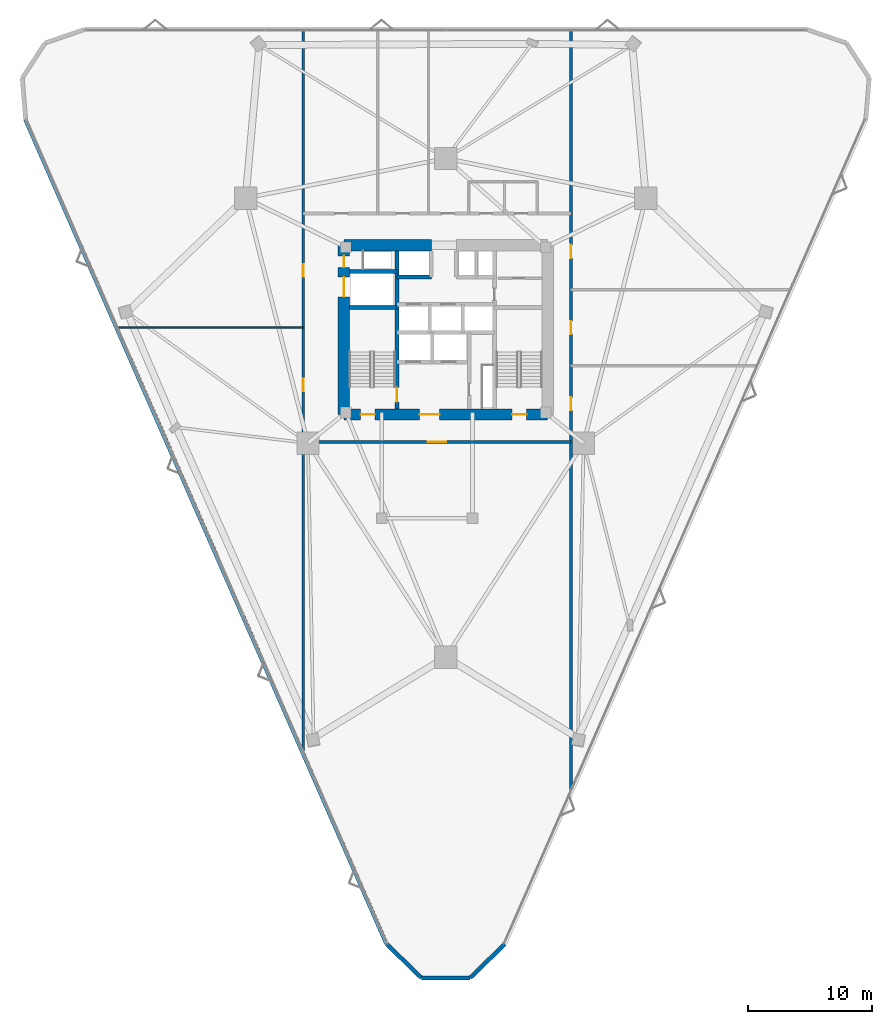
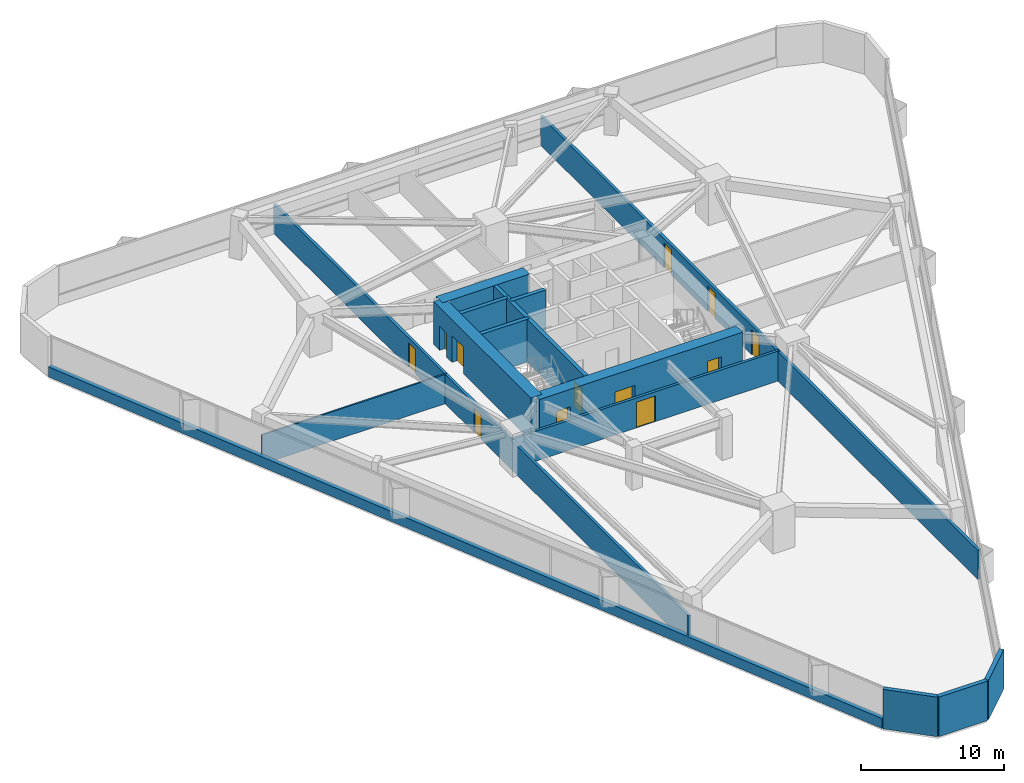
# One storey, part 17 of 20: 15 walls, 12 doors, 12 openings.
"""IFC4 building model written with IfcOpenShell, lengths in metres."""

from ifc_helpers import new_model, si_unit, direction, frame, frame_2d, origin, place, context, subcontext, project, spatial, rectangle, extrude, material, layer, layer_set, type_object, element, fill, save


model = new_model("IFC4")

# Units and contexts
model_context = context("Model", 3, precision=1e-05, world=origin(), true_north=direction((0.0, 1.0)))
body_context = subcontext(model_context, "Body", "Model", "MODEL_VIEW")
ifc_project = project(units=[si_unit("LENGTHUNIT", "METRE"), si_unit("AREAUNIT", "SQUARE_METRE"), si_unit("VOLUMEUNIT", "CUBIC_METRE"), si_unit("PLANEANGLEUNIT", "RADIAN"), si_unit("MASSUNIT", "GRAM", prefix="KILO")], contexts=[model_context])

# Site, building, storey
site_placement = place(None, origin())
site = spatial("IfcSite", under=ifc_project, at=site_placement, CompositionType="ELEMENT")
building_placement = place(site_placement, origin())
building = spatial("IfcBuilding", under=site, at=building_placement, Name="Talyreon Biosciences Tower", CompositionType="ELEMENT")
storey_placement = place(building_placement, frame((0.0, 0.0, 37.39990234375)))
storey = spatial("IfcBuildingStorey", under=building, at=storey_placement, Name="L09", CompositionType="ELEMENT", Elevation=37.39990234375)

# Wall, opening, door
ifc_material_1 = material(Name="Concrete C50/60", Category="concrete")
ifc_layer_1 = layer(ifc_material_1, 0.320068359375)
ifc_layer_set_1 = layer_set([ifc_layer_1], Name="Concrete C50/60")
wall_type_1 = type_object("IfcWallType", Name="CoreShearWall_320", PredefinedType="SHEAR", material=ifc_layer_set_1)
wall_1_placement = place(storey_placement, frame((62.090087890625, 61.64990234375, 0.0), z_axis=(0.0, 0.0, 1.0), x_axis=(0.0, 1.0, 0.0)))
wall_1 = element("IfcWall", 1, at=wall_1_placement, inside=storey, type_object=wall_type_1, Name="L09 Core Shaft Wall SW1E", PredefinedType="SHEAR", context=body_context, shape_type="SweptSolid", body=[
    extrude(rectangle(XDim=12.7001953125, YDim=0.320068359375, at=frame_2d((6.35009765625, 0.0))), origin(), (0.0, 0.0, 1.0), 3.650146484375),
])
opening_1_placement = place(wall_1_placement, frame((0.550048828125, 0.0, 0.0)))
opening_1 = element("IfcOpeningElement", 2, at=opening_1_placement, cuts=wall_1, Name="Opening DR-L09-FF-ST1", PredefinedType="OPENING", context=body_context, shape_type="SweptSolid", body=[
    extrude(rectangle(XDim=1.14990234375, YDim=2.14990234375, at=frame_2d((0.574951171875, 1.074951171875))), frame((0.0, 0.169921875, 0.0), z_axis=(0.0, -1.0, 0.0), x_axis=(1.0, 0.0, 0.0)), (0.0, 0.0, 1.0), 0.340087890625),
])
ifc_material_2 = material(Name="Painted steel fire door", Category="steel")
door_type_1 = type_object("IfcDoorType", Name="StairShaftFireDoor_1150x2150", OperationType="NOTDEFINED", PredefinedType="DOOR", material=ifc_material_2)
door_1_placement = place(opening_1_placement, origin())
door_1 = element("IfcDoor", 3, at=door_1_placement, inside=storey, type_object=door_type_1, Name="L09 Core Door DR-L09-FF-ST1", OperationType="SINGLE_SWING_LEFT", OverallHeight=2.14990234375, OverallWidth=1.14990234375, PredefinedType="DOOR", context=body_context, shape_type="SweptSolid", body=[
    extrude(rectangle(XDim=1.14990234375, YDim=2.14990234375, at=frame_2d((0.574951171875, 1.074951171875))), frame((0.0, 0.02490234375, 0.0), z_axis=(0.0, -1.0, 0.0), x_axis=(1.0, 0.0, 0.0)), (0.0, 0.0, 1.0), 0.050048828125),
])
fill(opening_1, door_1)

# Walls
for number, where, z_axis, x_axis, name in (
    (4, (58.25, 69.81005859375, 0.0), (0.0, 0.0, 1.0), (1.0, 0.0, 0.0), "L09 Core Shaft Wall SW1N"),
    (5, (58.25, 72.699951171875, 0.0), (0.0, 0.0, 1.0), (1.0, 0.0, 0.0), "L09 Core Shaft Wall SWGLN"),
):
    element("IfcWall", number, at=place(storey_placement, frame(where, z_axis=z_axis, x_axis=x_axis)), inside=storey, type_object=wall_type_1, Name=name, PredefinedType="SHEAR", context=body_context, shape_type="SweptSolid", body=[
        extrude(rectangle(XDim=3.840087890625, YDim=0.320068359375, at=frame_2d((1.919921875, 0.0))), origin(), (0.0, 0.0, 1.0), 3.650146484375),
    ])
wall_2_placement = place(storey_placement, frame((62.090087890625, 72.25, 0.0), z_axis=(0.0, 0.0, 1.0), x_axis=(1.0, 0.0, 0.0)))
element("IfcWall", 6, at=wall_2_placement, inside=storey, type_object=wall_type_1, Name="L09 Core Shaft Wall SWNPW", PredefinedType="SHEAR", context=body_context, shape_type="SweptSolid", body=[
    extrude(rectangle(XDim=2.760009765625, YDim=0.320068359375, at=frame_2d((1.3798828125, 0.0))), origin(), (0.0, 0.0, 1.0), 3.650146484375),
])

# Wall, openings, doors
ifc_material_3 = material(Name="Concrete C60/75", Category="concrete")
ifc_layer_2 = layer(ifc_material_3, 0.89990234375)
ifc_layer_set_2 = layer_set([ifc_layer_2], Name="Concrete C60/75")
wall_type_2 = type_object("IfcWallType", Name="CoreShearWall_900", PredefinedType="SHEAR", material=ifc_layer_set_2)
wall_3_placement = place(storey_placement, frame((57.800048828125, 61.199951171875, 0.0), z_axis=(0.0, 0.0, 1.0), x_axis=(1.0, 0.0, 0.0)))
wall_3 = element("IfcWall", 7, at=wall_3_placement, inside=storey, type_object=wall_type_2, Name="L09 Core Shear Wall S", PredefinedType="SHEAR", context=body_context, shape_type="SweptSolid", body=[
    extrude(rectangle(XDim=16.39990234375, YDim=0.89990234375, at=frame_2d((8.199951171875, 0.0))), origin(), (0.0, 0.0, 1.0), 3.650146484375),
])
opening_2_placement = place(wall_3_placement, frame((1.35009765625, 0.0, 0.0)))
opening_2 = element("IfcOpeningElement", 8, at=opening_2_placement, cuts=wall_3, Name="Opening DR-L09-ST1", PredefinedType="OPENING", context=body_context, shape_type="SweptSolid", body=[
    extrude(rectangle(XDim=1.14990234375, YDim=2.14990234375, at=frame_2d((0.574951171875, 1.074951171875))), frame((0.0, 0.4599609375, 0.0), z_axis=(0.0, -1.0, 0.0), x_axis=(1.0, 0.0, 0.0)), (0.0, 0.0, 1.0), 0.919921875),
])
opening_3_placement = place(wall_3_placement, frame((6.10009765625, 0.0, 0.0)))
opening_3 = element("IfcOpeningElement", 9, at=opening_3_placement, cuts=wall_3, Name="Opening DR-L09-FFL", PredefinedType="OPENING", context=body_context, shape_type="SweptSolid", body=[
    extrude(rectangle(XDim=1.60009765625, YDim=2.14990234375, at=frame_2d((0.800048828125, 1.074951171875))), frame((0.0, 0.4599609375, 0.0), z_axis=(0.0, -1.0, 0.0), x_axis=(1.0, 0.0, 0.0)), (0.0, 0.0, 1.0), 0.919921875),
])
opening_4_placement = place(wall_3_placement, frame((13.550048828125, 0.0, 0.0)))
opening_4 = element("IfcOpeningElement", 10, at=opening_4_placement, cuts=wall_3, Name="Opening DR-L09-ST2", PredefinedType="OPENING", context=body_context, shape_type="SweptSolid", body=[
    extrude(rectangle(XDim=1.14990234375, YDim=2.14990234375, at=frame_2d((0.574951171875, 1.074951171875))), frame((0.0, 0.4599609375, 0.0), z_axis=(0.0, -1.0, 0.0), x_axis=(1.0, 0.0, 0.0)), (0.0, 0.0, 1.0), 0.919921875),
])
ifc_material_4 = material(Name="Painted steel smoke-seal fire door", Category="steel")
door_type_2 = type_object("IfcDoorType", Name="FirefightingLobbyDoubleDoor_1600x2150", OperationType="DOUBLE_DOOR_SINGLE_SWING", PredefinedType="DOOR", material=ifc_material_4)
door_2_placement = place(opening_3_placement, origin())
door_2 = element("IfcDoor", 11, at=door_2_placement, inside=storey, type_object=door_type_2, Name="L09 Core Door DR-L09-FFL", OperationType="DOUBLE_DOOR_SINGLE_SWING", OverallHeight=2.14990234375, OverallWidth=1.60009765625, PredefinedType="DOOR", context=body_context, shape_type="SweptSolid", body=[
    extrude(rectangle(XDim=1.60009765625, YDim=2.14990234375, at=frame_2d((0.800048828125, 1.074951171875))), frame((0.0, 0.02490234375, 0.0), z_axis=(0.0, -1.0, 0.0), x_axis=(1.0, 0.0, 0.0)), (0.0, 0.0, 1.0), 0.050048828125),
])
fill(opening_3, door_2)
door_3_placement = place(opening_2_placement, origin())
door_3 = element("IfcDoor", 12, at=door_3_placement, inside=storey, type_object=door_type_1, Name="L09 Core Door DR-L09-ST1", OperationType="SINGLE_SWING_LEFT", OverallHeight=2.14990234375, OverallWidth=1.14990234375, PredefinedType="DOOR", context=body_context, shape_type="SweptSolid", body=[
    extrude(rectangle(XDim=1.14990234375, YDim=2.14990234375, at=frame_2d((0.574951171875, 1.074951171875))), frame((0.0, 0.02490234375, 0.0), z_axis=(0.0, -1.0, 0.0), x_axis=(1.0, 0.0, 0.0)), (0.0, 0.0, 1.0), 0.050048828125),
])
fill(opening_2, door_3)
door_4_placement = place(opening_4_placement, origin())
door_4 = element("IfcDoor", 13, at=door_4_placement, inside=storey, type_object=door_type_1, Name="L09 Core Door DR-L09-ST2", OperationType="SINGLE_SWING_RIGHT", OverallHeight=2.14990234375, OverallWidth=1.14990234375, PredefinedType="DOOR", context=body_context, shape_type="SweptSolid", body=[
    extrude(rectangle(XDim=1.14990234375, YDim=2.14990234375, at=frame_2d((0.574951171875, 1.074951171875))), frame((0.0, 0.02490234375, 0.0), z_axis=(0.0, -1.0, 0.0), x_axis=(1.0, 0.0, 0.0)), (0.0, 0.0, 1.0), 0.050048828125),
])
fill(opening_4, door_4)

# Wall
wall_4_placement = place(storey_placement, frame((64.85009765625, 74.800048828125, 0.0), z_axis=(0.0, 0.0, 1.0), x_axis=(-1.0, 0.0, 0.0)))
element("IfcWall", 14, at=wall_4_placement, inside=storey, type_object=wall_type_2, Name="L09 Core Shear Wall NW", PredefinedType="SHEAR", context=body_context, shape_type="SweptSolid", body=[
    extrude(rectangle(XDim=7.050048828125, YDim=0.89990234375, at=frame_2d((3.52490234375, 0.0))), origin(), (0.0, 0.0, 1.0), 3.650146484375),
])

# Wall, openings, doors
wall_5_placement = place(storey_placement, frame((57.800048828125, 74.800048828125, 0.0), z_axis=(0.0, 0.0, 1.0), x_axis=(0.0, -1.0, 0.0)))
wall_5 = element("IfcWall", 15, at=wall_5_placement, inside=storey, type_object=wall_type_2, Name="L09 Core Shear Wall W", PredefinedType="SHEAR", context=body_context, shape_type="SweptSolid", body=[
    extrude(rectangle(XDim=13.60009765625, YDim=0.89990234375, at=frame_2d((6.800048828125, 0.0))), origin(), (0.0, 0.0, 1.0), 3.650146484375),
])
opening_5_placement = place(wall_5_placement, frame((0.85009765625, 0.0, 0.0)))
opening_5 = element("IfcOpeningElement", 16, at=opening_5_placement, cuts=wall_5, Name="Opening DR-L09-RSW", PredefinedType="OPENING", context=body_context, shape_type="SweptSolid", body=[
    extrude(rectangle(XDim=0.919921875, YDim=2.050048828125, at=frame_2d((0.4599609375, 1.02490234375))), frame((0.0, 0.4599609375, 0.0), z_axis=(0.0, -1.0, 0.0), x_axis=(1.0, 0.0, 0.0)), (0.0, 0.0, 1.0), 0.919921875),
])
opening_6_placement = place(wall_5_placement, frame((2.550048828125, 0.0, 0.0)))
opening_6 = element("IfcOpeningElement", 17, at=opening_6_placement, cuts=wall_5, Name="Opening LD-L09-GL1", PredefinedType="OPENING", context=body_context, shape_type="SweptSolid", body=[
    extrude(rectangle(XDim=1.60009765625, YDim=2.300048828125, at=frame_2d((0.800048828125, 1.14990234375))), frame((0.0, 0.4599609375, 0.0), z_axis=(0.0, -1.0, 0.0), x_axis=(1.0, 0.0, 0.0)), (0.0, 0.0, 1.0), 0.919921875),
])
ifc_material_5 = material(Name="Heavy-duty stainless-steel goods lift door", Category="steel")
door_type_3 = type_object("IfcDoorType", Name="GoodsLiftSlidingDoor_1600x2300", OperationType="DOUBLE_DOOR_SLIDING", PredefinedType="DOOR", material=ifc_material_5)
door_5_placement = place(opening_6_placement, origin())
door_5 = element("IfcDoor", 18, at=door_5_placement, inside=storey, type_object=door_type_3, Name="L09 Core Door LD-L09-GL1", OperationType="DOUBLE_DOOR_SLIDING", OverallHeight=2.300048828125, OverallWidth=1.60009765625, PredefinedType="DOOR", context=body_context, shape_type="SweptSolid", body=[
    extrude(rectangle(XDim=1.60009765625, YDim=2.300048828125, at=frame_2d((0.800048828125, 1.14990234375))), frame((0.0, 0.02490234375, 0.0), z_axis=(0.0, -1.0, 0.0), x_axis=(1.0, 0.0, 0.0)), (0.0, 0.0, 1.0), 0.050048828125),
])
fill(opening_6, door_5)
ifc_material_6 = material(Name="Painted steel fire-rated riser door", Category="steel")
door_type_4 = type_object("IfcDoorType", Name="RiserPlantAccessDoor_920x2050", OperationType="NOTDEFINED", PredefinedType="DOOR", material=ifc_material_6)
door_6_placement = place(opening_5_placement, origin())
door_6 = element("IfcDoor", 19, at=door_6_placement, inside=storey, type_object=door_type_4, Name="L09 Core Door DR-L09-RSW", OperationType="SINGLE_SWING_LEFT", OverallHeight=2.050048828125, OverallWidth=0.919921875, PredefinedType="DOOR", context=body_context, shape_type="SweptSolid", body=[
    extrude(rectangle(XDim=0.919921875, YDim=2.050048828125, at=frame_2d((0.4599609375, 1.02490234375))), frame((0.0, 0.02490234375, 0.0), z_axis=(0.0, -1.0, 0.0), x_axis=(1.0, 0.0, 0.0)), (0.0, 0.0, 1.0), 0.050048828125),
])
fill(opening_5, door_6)

# Wall, opening, door
ifc_material_7 = material(Name="Gypsum fireboard acoustic stud", Category="gypsum")
ifc_layer_3 = layer(ifc_material_7, 0.219970703125)
ifc_layer_set_3 = layer_set([ifc_layer_3], Name="Gypsum fireboard acoustic stud")
wall_type_3 = type_object("IfcWallType", Name="CorridorRatedPartition_220", PredefinedType="PARTITIONING", material=ifc_layer_set_3)
wall_6_placement = place(storey_placement, frame((54.530029296875, 58.97998046875, 0.0), z_axis=(0.0, 0.0, 1.0), x_axis=(1.0, 0.0, 0.0)))
wall_6 = element("IfcWall", 20, at=wall_6_placement, inside=storey, type_object=wall_type_3, Name="L09 Interior Wall IW-L09-COR-S", PredefinedType="PARTITIONING", context=body_context, shape_type="SweptSolid", body=[
    extrude(rectangle(XDim=21.5400390625, YDim=0.219970703125, at=frame_2d((10.77001953125, 0.0))), origin(), (0.0, 0.0, 1.0), 2.55517578125),
])
opening_7_placement = place(wall_6_placement, frame((10.02001953125, 0.0, 0.0)))
opening_7 = element("IfcOpeningElement", 21, at=opening_7_placement, cuts=wall_6, Name="Opening DR-L09-S1A", PredefinedType="OPENING", context=body_context, shape_type="SweptSolid", body=[
    extrude(rectangle(XDim=1.5, YDim=2.199951171875, at=frame_2d((0.75, 1.10009765625))), frame((0.0, 0.119873046875, 0.0), z_axis=(0.0, -1.0, 0.0), x_axis=(1.0, 0.0, 0.0)), (0.0, 0.0, 1.0), 0.239990234375),
])
ifc_material_8 = material(Name="Vision-panel steel laboratory fire door", Category="steel")
door_type_5 = type_object("IfcDoorType", Name="WetLabDoubleLeafDoor_1500x2200", OperationType="DOUBLE_DOOR_SINGLE_SWING", PredefinedType="DOOR", material=ifc_material_8)
door_7_placement = place(opening_7_placement, origin())
door_7 = element("IfcDoor", 22, at=door_7_placement, inside=storey, type_object=door_type_5, Name="L09 Interior Door DR-L09-S1A", OperationType="DOUBLE_DOOR_SINGLE_SWING", OverallHeight=2.199951171875, OverallWidth=1.5, PredefinedType="DOOR", context=body_context, shape_type="SweptSolid", body=[
    extrude(rectangle(XDim=1.5, YDim=2.199951171875, at=frame_2d((0.75, 1.10009765625))), frame((0.0, 0.02490234375, 0.0), z_axis=(0.0, -1.0, 0.0), x_axis=(1.0, 0.0, 0.0)), (0.0, 0.0, 1.0), 0.050048828125),
])
fill(opening_7, door_7)

# Wall, openings, doors
wall_7_placement = place(storey_placement, frame((54.530029296875, 34.11328125, 0.0), z_axis=(0.0, 0.0, 1.0), x_axis=(0.0, 1.0, 0.0)))
wall_7 = element("IfcWall", 23, at=wall_7_placement, inside=storey, type_object=wall_type_3, Name="L09 Interior Wall IW-L09-COR-W", PredefinedType="PARTITIONING", context=body_context, shape_type="SweptSolid", body=[
    extrude(rectangle(XDim=57.9892578125, YDim=0.219970703125, at=frame_2d((28.99462890625, 0.0))), origin(), (0.0, 0.0, 1.0), 2.505126953125),
])
opening_8_placement = place(wall_7_placement, frame((28.964111328125, 0.0, 0.0)))
opening_8 = element("IfcOpeningElement", 24, at=opening_8_placement, cuts=wall_7, Name="Opening DR-L09-W1A", PredefinedType="OPENING", context=body_context, shape_type="SweptSolid", body=[
    extrude(rectangle(XDim=1.0, YDim=2.10009765625, at=frame_2d((0.5, 1.050048828125))), frame((0.0, 0.119873046875, 0.0), z_axis=(0.0, -1.0, 0.0), x_axis=(1.0, 0.0, 0.0)), (0.0, 0.0, 1.0), 0.239990234375),
])
opening_9_placement = place(wall_7_placement, frame((38.158935546875, 0.0, 0.0)))
opening_9 = element("IfcOpeningElement", 25, at=opening_9_placement, cuts=wall_7, Name="Opening DR-L09-W2A", PredefinedType="OPENING", context=body_context, shape_type="SweptSolid", body=[
    extrude(rectangle(XDim=1.0, YDim=2.10009765625, at=frame_2d((0.5, 1.050048828125))), frame((0.0, 0.119873046875, 0.0), z_axis=(0.0, -1.0, 0.0), x_axis=(1.0, 0.0, 0.0)), (0.0, 0.0, 1.0), 0.239990234375),
])
ifc_material_9 = material(Name="Acoustic oak veneer office door", Category="wood")
door_type_6 = type_object("IfcDoorType", Name="WriteupOfficeDoor_1000x2100", OperationType="NOTDEFINED", PredefinedType="DOOR", material=ifc_material_9)
door_8_placement = place(opening_8_placement, origin())
door_8 = element("IfcDoor", 26, at=door_8_placement, inside=storey, type_object=door_type_6, Name="L09 Interior Door DR-L09-W1A", OperationType="SINGLE_SWING_RIGHT", OverallHeight=2.10009765625, OverallWidth=1.0, PredefinedType="DOOR", context=body_context, shape_type="SweptSolid", body=[
    extrude(rectangle(XDim=1.0, YDim=2.10009765625, at=frame_2d((0.5, 1.050048828125))), frame((0.0, 0.02490234375, 0.0), z_axis=(0.0, -1.0, 0.0), x_axis=(1.0, 0.0, 0.0)), (0.0, 0.0, 1.0), 0.050048828125),
])
fill(opening_8, door_8)
door_9_placement = place(opening_9_placement, origin())
door_9 = element("IfcDoor", 27, at=door_9_placement, inside=storey, type_object=door_type_6, Name="L09 Interior Door DR-L09-W2A", OperationType="SINGLE_SWING_LEFT", OverallHeight=2.10009765625, OverallWidth=1.0, PredefinedType="DOOR", context=body_context, shape_type="SweptSolid", body=[
    extrude(rectangle(XDim=1.0, YDim=2.10009765625, at=frame_2d((0.5, 1.050048828125))), frame((0.0, 0.02490234375, 0.0), z_axis=(0.0, -1.0, 0.0), x_axis=(1.0, 0.0, 0.0)), (0.0, 0.0, 1.0), 0.050048828125),
])
fill(opening_9, door_9)

wall_8_placement = place(storey_placement, frame((76.070068359375, 30.9169921875, 0.0), z_axis=(0.0, 0.0, 1.0), x_axis=(0.0, 1.0, 0.0)))
wall_8 = element("IfcWall", 28, at=wall_8_placement, inside=storey, type_object=wall_type_3, Name="L09 Interior Wall IW-L09-COR-E", PredefinedType="PARTITIONING", context=body_context, shape_type="SweptSolid", body=[
    extrude(rectangle(XDim=61.185546875, YDim=0.219970703125, at=frame_2d((30.5927734375, 0.0))), origin(), (0.0, 0.0, 1.0), 2.505126953125),
])
opening_10_placement = place(wall_8_placement, frame((30.60302734375, 0.0, 0.0)))
opening_10 = element("IfcOpeningElement", 29, at=opening_10_placement, cuts=wall_8, Name="Opening DR-L09-E1A", PredefinedType="OPENING", context=body_context, shape_type="SweptSolid", body=[
    extrude(rectangle(XDim=1.050048828125, YDim=2.14990234375, at=frame_2d((0.52490234375, 1.074951171875))), frame((0.0, 0.119873046875, 0.0), z_axis=(0.0, -1.0, 0.0), x_axis=(1.0, 0.0, 0.0)), (0.0, 0.0, 1.0), 0.239990234375),
])
opening_11_placement = place(wall_8_placement, frame((36.73291015625, 0.0, 0.0)))
opening_11 = element("IfcOpeningElement", 30, at=opening_11_placement, cuts=wall_8, Name="Opening DR-L09-E2A", PredefinedType="OPENING", context=body_context, shape_type="SweptSolid", body=[
    extrude(rectangle(XDim=1.050048828125, YDim=2.14990234375, at=frame_2d((0.52490234375, 1.074951171875))), frame((0.0, 0.119873046875, 0.0), z_axis=(0.0, -1.0, 0.0), x_axis=(1.0, 0.0, 0.0)), (0.0, 0.0, 1.0), 0.239990234375),
])
opening_12_placement = place(wall_8_placement, frame((42.863037109375, 0.0, 0.0)))
opening_12 = element("IfcOpeningElement", 31, at=opening_12_placement, cuts=wall_8, Name="Opening DR-L09-E3A", PredefinedType="OPENING", context=body_context, shape_type="SweptSolid", body=[
    extrude(rectangle(XDim=1.050048828125, YDim=2.14990234375, at=frame_2d((0.52490234375, 1.074951171875))), frame((0.0, 0.119873046875, 0.0), z_axis=(0.0, -1.0, 0.0), x_axis=(1.0, 0.0, 0.0)), (0.0, 0.0, 1.0), 0.239990234375),
])
ifc_material_10 = material(Name="Acoustic timber-core laboratory door", Category="wood")
door_type_7 = type_object("IfcDoorType", Name="DryLabSingleDoor_1050x2150", OperationType="NOTDEFINED", PredefinedType="DOOR", material=ifc_material_10)
door_10_placement = place(opening_10_placement, origin())
door_10 = element("IfcDoor", 32, at=door_10_placement, inside=storey, type_object=door_type_7, Name="L09 Interior Door DR-L09-E1A", OperationType="SINGLE_SWING_RIGHT", OverallHeight=2.14990234375, OverallWidth=1.050048828125, PredefinedType="DOOR", context=body_context, shape_type="SweptSolid", body=[
    extrude(rectangle(XDim=1.050048828125, YDim=2.14990234375, at=frame_2d((0.52490234375, 1.074951171875))), frame((0.0, 0.02490234375, 0.0), z_axis=(0.0, -1.0, 0.0), x_axis=(1.0, 0.0, 0.0)), (0.0, 0.0, 1.0), 0.050048828125),
])
fill(opening_10, door_10)
door_11_placement = place(opening_11_placement, origin())
door_11 = element("IfcDoor", 33, at=door_11_placement, inside=storey, type_object=door_type_7, Name="L09 Interior Door DR-L09-E2A", OperationType="SINGLE_SWING_LEFT", OverallHeight=2.14990234375, OverallWidth=1.050048828125, PredefinedType="DOOR", context=body_context, shape_type="SweptSolid", body=[
    extrude(rectangle(XDim=1.050048828125, YDim=2.14990234375, at=frame_2d((0.52490234375, 1.074951171875))), frame((0.0, 0.02490234375, 0.0), z_axis=(0.0, -1.0, 0.0), x_axis=(1.0, 0.0, 0.0)), (0.0, 0.0, 1.0), 0.050048828125),
])
fill(opening_11, door_11)
door_12_placement = place(opening_12_placement, origin())
door_12 = element("IfcDoor", 34, at=door_12_placement, inside=storey, type_object=door_type_7, Name="L09 Interior Door DR-L09-E3A", OperationType="SINGLE_SWING_RIGHT", OverallHeight=2.14990234375, OverallWidth=1.050048828125, PredefinedType="DOOR", context=body_context, shape_type="SweptSolid", body=[
    extrude(rectangle(XDim=1.050048828125, YDim=2.14990234375, at=frame_2d((0.52490234375, 1.074951171875))), frame((0.0, 0.02490234375, 0.0), z_axis=(0.0, -1.0, 0.0), x_axis=(1.0, 0.0, 0.0)), (0.0, 0.0, 1.0), 0.050048828125),
])
fill(opening_12, door_12)

# Walls
ifc_material_11 = material(Name="Gypsum acoustic stud partition", Category="gypsum")
ifc_layer_4 = layer(ifc_material_11, 0.1298828125)
ifc_layer_set_4 = layer_set([ifc_layer_4], Name="Gypsum acoustic stud partition")
wall_type_4 = type_object("IfcWallType", Name="OfficeWriteupPartition_130", PredefinedType="PARTITIONING", material=ifc_layer_set_4)
wall_9_placement = place(storey_placement, frame((39.610107421875, 68.175048828125, 0.0), z_axis=(0.0, 0.0, 1.0), x_axis=(1.0, 0.0, 0.0)))
element("IfcWall", 35, at=wall_9_placement, inside=storey, type_object=wall_type_4, Name="L09 Interior Wall IW-L09-WDIV1", PredefinedType="PARTITIONING", context=body_context, shape_type="SweptSolid", body=[
    extrude(rectangle(XDim=14.919921875, YDim=0.1298828125, at=frame_2d((7.4599609375, 0.0))), origin(), (0.0, 0.0, 1.0), 2.505126953125),
])
ifc_material_12 = material(Name="Precast concrete C45/55", Category="concrete")
ifc_layer_5 = layer(ifc_material_12, 0.340087890625)
ifc_layer_set_5 = layer_set([ifc_layer_5], Name="Precast concrete C45/55")
wall_type_5 = type_object("IfcWallType", Name="PrecastConcreteSpandrelWall_340", PredefinedType="STANDARD", material=ifc_layer_set_5)
wall_10_placement = place(storey_placement, frame((61.23681640625, 18.589599609375, 0.0), z_axis=(0.0, 0.0, 1.0), x_axis=(-0.40122003264, 0.915981705826, 0.0)))
element("IfcWall", 36, at=wall_10_placement, inside=storey, type_object=wall_type_5, Name="L09 Expressed Concrete Sill Wall 00", PredefinedType="STANDARD", context=body_context, shape_type="SweptSolid", body=[
    extrude(rectangle(XDim=72.39404296875, YDim=0.340087890625, at=frame_2d((36.197021484375, 0.0))), origin(), (0.0, 0.0, 1.0), 0.85009765625),
])
wall_11_placement = place(storey_placement, frame((70.76318359375, 18.589599609375, 0.0), z_axis=(0.0, 0.0, 1.0), x_axis=(-0.716582721765, -0.697502116748, 0.0)))
element("IfcWall", 37, at=wall_11_placement, inside=storey, type_object=wall_type_5, Name="L09 Rounded-Corner Concrete Pier 09", PredefinedType="STANDARD", context=body_context, shape_type="SweptSolid", body=[
    extrude(rectangle(XDim=3.915283203125, YDim=0.340087890625, at=frame_2d((1.95751953125, 0.0))), origin(), (0.0, 0.0, 1.0), 3.375),
])
wall_12_placement = place(storey_placement, frame((67.95751953125, 15.858642578125, 0.0), z_axis=(0.0, 0.0, 1.0), x_axis=(-1.0, 0.0, 0.0)))
element("IfcWall", 38, at=wall_12_placement, inside=storey, type_object=wall_type_5, Name="L09 Rounded-Corner Concrete Pier 10", PredefinedType="STANDARD", context=body_context, shape_type="SweptSolid", body=[
    extrude(rectangle(XDim=3.9150390625, YDim=0.340087890625, at=frame_2d((1.95751953125, 0.0))), origin(), (0.0, 0.0, 1.0), 3.375),
])
wall_13_placement = place(storey_placement, frame((64.04248046875, 15.858642578125, 0.0), z_axis=(0.0, 0.0, 1.0), x_axis=(-0.716582721765, 0.697502116748, 0.0)))
element("IfcWall", 39, at=wall_13_placement, inside=storey, type_object=wall_type_5, Name="L09 Rounded-Corner Concrete Pier 11", PredefinedType="STANDARD", context=body_context, shape_type="SweptSolid", body=[
    extrude(rectangle(XDim=3.915283203125, YDim=0.340087890625, at=frame_2d((1.95751953125, 0.0))), origin(), (0.0, 0.0, 1.0), 3.375),
])

save(model, "model.ifc")
